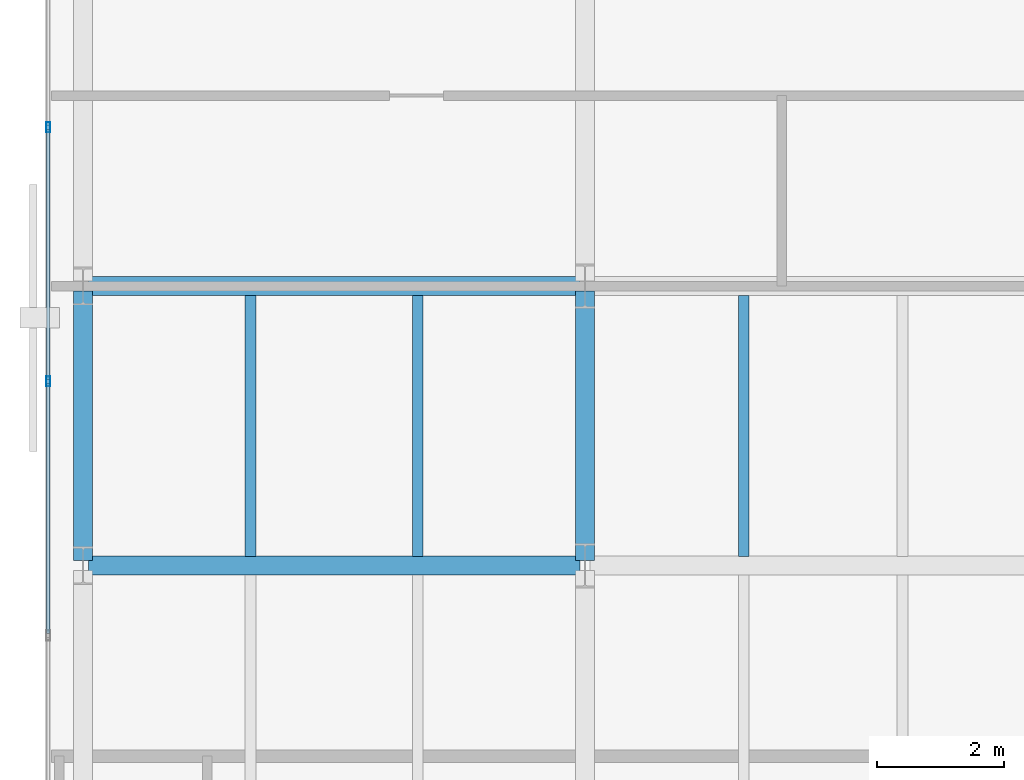
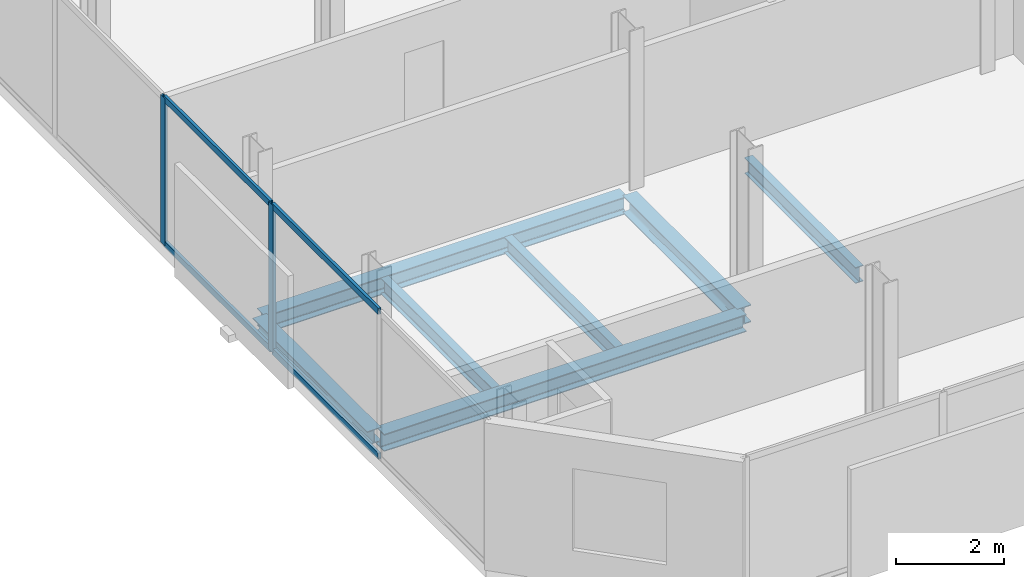
# One storey, part 5 of 32: 7 beams, 6 members, 1 element without a shape of its own.
"""IFC4 building model written with IfcOpenShell, lengths in metres."""

from ifc_helpers import new_model, si_unit, direction, frame, origin, origin_2d, place, context, subcontext, project, spatial, hollow_rectangle, i_section, extrude, material, layer, layer_set, material_profile, profile_set, type_object, element, aggregate, save


model = new_model("IFC4")

# Units and contexts
model_context = context("Model", 3, precision=1e-05, world=origin(), true_north=direction((0.0, 1.0)))
body_context = subcontext(model_context, "Body", "Model", "MODEL_VIEW")
ifc_project = project(units=[si_unit("LENGTHUNIT", "METRE"), si_unit("AREAUNIT", "SQUARE_METRE"), si_unit("VOLUMEUNIT", "CUBIC_METRE"), si_unit("PLANEANGLEUNIT", "RADIAN"), si_unit("MASSUNIT", "GRAM", prefix="KILO")], contexts=[model_context])

# Site, building, storey
site_placement = place(None, origin())
site = spatial("IfcSite", under=ifc_project, at=site_placement, CompositionType="ELEMENT")
building_placement = place(site_placement, origin())
building = spatial("IfcBuilding", under=site, at=building_placement, Name="Catumbela Crestline Tower", CompositionType="ELEMENT")
storey_placement = place(building_placement, frame((0.0, 0.0, 136.8)))
storey = spatial("IfcBuildingStorey", under=building, at=storey_placement, Name="L35", CompositionType="ELEMENT", Elevation=136.8)

# Beams
ifc_material_1 = material(Name="Structural steel S355J2", Category="steel")
ifc_material_profile_1 = material_profile(ifc_material_1, i_section(OverallWidth=0.3, OverallDepth=0.39, WebThickness=0.011, FlangeThickness=0.019, FilletRadius=0.027, at=origin_2d()), Name="HEA 400")
ifc_profile_set_1 = profile_set([ifc_material_profile_1], Name="Structural steel S355J2")
beam_type_1 = type_object("IfcBeamType", Name="BG-HEA400", PredefinedType="BEAM", material=ifc_profile_set_1)
for number, where, z_axis, x_axis, name in (
    (1, (0.68, 13.6, -0.455), (1.0, 0.0, 0.0), (0.0, 1.0, 0.0), "L35 Beam BM-L35-WEW46"),
    (2, (0.68, 18.0, -0.455), (1.0, 0.0, 0.0), (0.0, 1.0, 0.0), "L35 Beam BM-L35-WEW49"),
):
    element("IfcBeam", number, at=place(storey_placement, frame(where, z_axis=z_axis, x_axis=x_axis)), inside=storey, type_object=beam_type_1, Name=name, PredefinedType="BEAM", context=body_context, shape_type="SweptSolid", body=[
        extrude(i_section(OverallWidth=0.3, OverallDepth=0.39, WebThickness=0.011, FlangeThickness=0.019, FilletRadius=0.027, at=origin_2d()), origin(), (0.0, 0.0, 1.0), 7.74),
    ])
beam_1_placement = place(storey_placement, frame((8.5, 13.68, -0.455), z_axis=(0.0, 1.0, 0.0), x_axis=(-1.0, 0.0, 0.0)))
element("IfcBeam", 3, at=beam_1_placement, inside=storey, type_object=beam_type_1, Name="L35 Beam BM-L35-WNS56", PredefinedType="BEAM", context=body_context, shape_type="SweptSolid", body=[
    extrude(i_section(OverallWidth=0.3, OverallDepth=0.39, WebThickness=0.011, FlangeThickness=0.019, FilletRadius=0.027, at=origin_2d()), origin(), (0.0, 0.0, 1.0), 4.24),
])
ifc_material_profile_2 = material_profile(ifc_material_1, i_section(OverallWidth=0.17, OverallDepth=0.36, WebThickness=0.008, FlangeThickness=0.0127, FilletRadius=0.018, at=origin_2d()), Name="IPE 360")
ifc_profile_set_2 = profile_set([ifc_material_profile_2], Name="Structural steel S355J2")
beam_type_2 = type_object("IfcBeamType", Name="BJ-IPE360", PredefinedType="JOIST", material=ifc_profile_set_2)
for number, where, z_axis, x_axis, name in (
    (4, (3.233, 13.747, -0.44), (0.0, 1.0, 0.0), (-1.0, 0.0, 0.0), "L35 Joist JS-L35-WG69"),
    (5, (5.867, 13.747, -0.44), (0.0, 1.0, 0.0), (-1.0, 0.0, 0.0), "L35 Joist JS-L35-WG70"),
    (6, (11.0, 13.747, -0.44), (0.0, 1.0, 0.0), (-1.0, 0.0, 0.0), "L35 Joist JS-L35-WG71"),
):
    element("IfcBeam", number, at=place(storey_placement, frame(where, z_axis=z_axis, x_axis=x_axis)), inside=storey, type_object=beam_type_2, Name=name, PredefinedType="JOIST", context=body_context, shape_type="SweptSolid", body=[
        extrude(i_section(OverallWidth=0.17, OverallDepth=0.36, WebThickness=0.008, FlangeThickness=0.0127, FilletRadius=0.018, at=origin_2d()), origin(), (0.0, 0.0, 1.0), 4.106),
    ])

# Curtain wall, members
ifc_material_2 = material(Name="Aluminium alloy AW-6060-T66", Category="aluminium")
ifc_layer = layer(ifc_material_2, 0.18, Name="Aluminium alloy AW-6060-T66")
ifc_layer_set = layer_set([ifc_layer], Name="Aluminium alloy AW-6060-T66")
curtain_wall_type = type_object("IfcCurtainWallType", Name="CWU-Z2", PredefinedType="USERDEFINED", material=ifc_layer_set)
curtain_wall_placement = place(storey_placement, origin())
curtain_wall = element("IfcCurtainWall", 7, at=curtain_wall_placement, inside=storey, type_object=curtain_wall_type, Name="L35 Unitised Curtain Wall CW-L35-E9S1", ObjectType="UNITISED", PredefinedType="USERDEFINED")
ifc_material_profile_3 = material_profile(ifc_material_2, hollow_rectangle(XDim=0.06, YDim=0.16, WallThickness=0.004, at=origin_2d()), Name="ALU 160x60x4")
ifc_profile_set_3 = profile_set([ifc_material_profile_3], Name="Aluminium alloy AW-6060-T66")
member_type_1 = type_object("IfcMemberType", Name="MUL-160X60", PredefinedType="MULLION", material=ifc_profile_set_3)
member_1_placement = place(storey_placement, frame((0.05, 20.5, 0.0), z_axis=(0.0, 0.0, 1.0), x_axis=(1.0, 0.0, 0.0)))
member_1 = element("IfcMember", 8, at=member_1_placement, type_object=member_type_1, Name="CWU-Z2 mullion 7", PredefinedType="MULLION", context=body_context, shape_type="SweptSolid", body=[
    extrude(hollow_rectangle(XDim=0.06, YDim=0.16, WallThickness=0.004, at=origin_2d()), origin(), (0.0, 0.0, 1.0), 3.33),
])
member_2_placement = place(storey_placement, frame((0.05, 16.5, 0.0), z_axis=(0.0, 0.0, 1.0), x_axis=(1.0, 0.0, 0.0)))
member_2 = element("IfcMember", 9, at=member_2_placement, type_object=member_type_1, Name="CWU-Z2 mullion 8", PredefinedType="MULLION", context=body_context, shape_type="SweptSolid", body=[
    extrude(hollow_rectangle(XDim=0.06, YDim=0.16, WallThickness=0.004, at=origin_2d()), origin(), (0.0, 0.0, 1.0), 3.33),
])

# Beam
ifc_material_profile_4 = material_profile(ifc_material_1, i_section(OverallWidth=0.3, OverallDepth=0.31, WebThickness=0.009, FlangeThickness=0.0155, FilletRadius=0.027, at=origin_2d()), Name="HEA 320")
ifc_profile_set_4 = profile_set([ifc_material_profile_4], Name="Structural steel S355J2")
beam_type_3 = type_object("IfcBeamType", Name="BS-HEA320", PredefinedType="SPANDREL", material=ifc_profile_set_4)
beam_2_placement = place(storey_placement, frame((0.6, 13.68, -0.415), z_axis=(0.0, 1.0, 0.0), x_axis=(-1.0, 0.0, 0.0)))
element("IfcBeam", 10, at=beam_2_placement, inside=storey, type_object=beam_type_3, Name="L35 Spandrel SP-L35-WNS53", PredefinedType="SPANDREL", context=body_context, shape_type="SweptSolid", body=[
    extrude(i_section(OverallWidth=0.3, OverallDepth=0.31, WebThickness=0.009, FlangeThickness=0.0155, FilletRadius=0.027, at=origin_2d()), origin(), (0.0, 0.0, 1.0), 4.24),
])

# Member
ifc_material_profile_5 = material_profile(ifc_material_2, hollow_rectangle(XDim=0.06, YDim=0.14, WallThickness=0.004, at=origin_2d()), Name="ALU 140x60x4")
ifc_profile_set_5 = profile_set([ifc_material_profile_5], Name="Aluminium alloy AW-6060-T66")
member_type_2 = type_object("IfcMemberType", Name="TRN-140X60", PredefinedType="USERDEFINED", material=ifc_profile_set_5)
member_3_placement = place(storey_placement, frame((0.05, 20.4675, 0.03), z_axis=(0.0, -1.0, 0.0), x_axis=(1.0, 0.0, 0.0)))
member_3 = element("IfcMember", 11, at=member_3_placement, type_object=member_type_2, Name="CWU-Z2 transom 7.1", ObjectType="TRANSOM", PredefinedType="USERDEFINED", context=body_context, shape_type="SweptSolid", body=[
    extrude(hollow_rectangle(XDim=0.06, YDim=0.14, WallThickness=0.004, at=origin_2d()), origin(), (0.0, 0.0, 1.0), 3.935),
])

member_4_placement = place(storey_placement, frame((0.05, 20.4675, 3.3), z_axis=(0.0, -1.0, 0.0), x_axis=(1.0, 0.0, 0.0)))
member_4 = element("IfcMember", 12, at=member_4_placement, type_object=member_type_2, Name="CWU-Z2 transom 7.2", ObjectType="TRANSOM", PredefinedType="USERDEFINED", context=body_context, shape_type="SweptSolid", body=[
    extrude(hollow_rectangle(XDim=0.06, YDim=0.14, WallThickness=0.004, at=origin_2d()), origin(), (0.0, 0.0, 1.0), 3.935),
])

member_5_placement = place(storey_placement, frame((0.05, 16.4675, 0.03), z_axis=(0.0, -1.0, 0.0), x_axis=(1.0, 0.0, 0.0)))
member_5 = element("IfcMember", 13, at=member_5_placement, type_object=member_type_2, Name="CWU-Z2 transom 8.1", ObjectType="TRANSOM", PredefinedType="USERDEFINED", context=body_context, shape_type="SweptSolid", body=[
    extrude(hollow_rectangle(XDim=0.06, YDim=0.14, WallThickness=0.004, at=origin_2d()), origin(), (0.0, 0.0, 1.0), 3.935),
])

member_6_placement = place(storey_placement, frame((0.05, 16.4675, 3.3), z_axis=(0.0, -1.0, 0.0), x_axis=(1.0, 0.0, 0.0)))
member_6 = element("IfcMember", 14, at=member_6_placement, type_object=member_type_2, Name="CWU-Z2 transom 8.2", ObjectType="TRANSOM", PredefinedType="USERDEFINED", context=body_context, shape_type="SweptSolid", body=[
    extrude(hollow_rectangle(XDim=0.06, YDim=0.14, WallThickness=0.004, at=origin_2d()), origin(), (0.0, 0.0, 1.0), 3.935),
])

aggregate(curtain_wall, [member_1, member_2, member_3, member_4, member_5, member_6])

save(model, "model.ifc")
